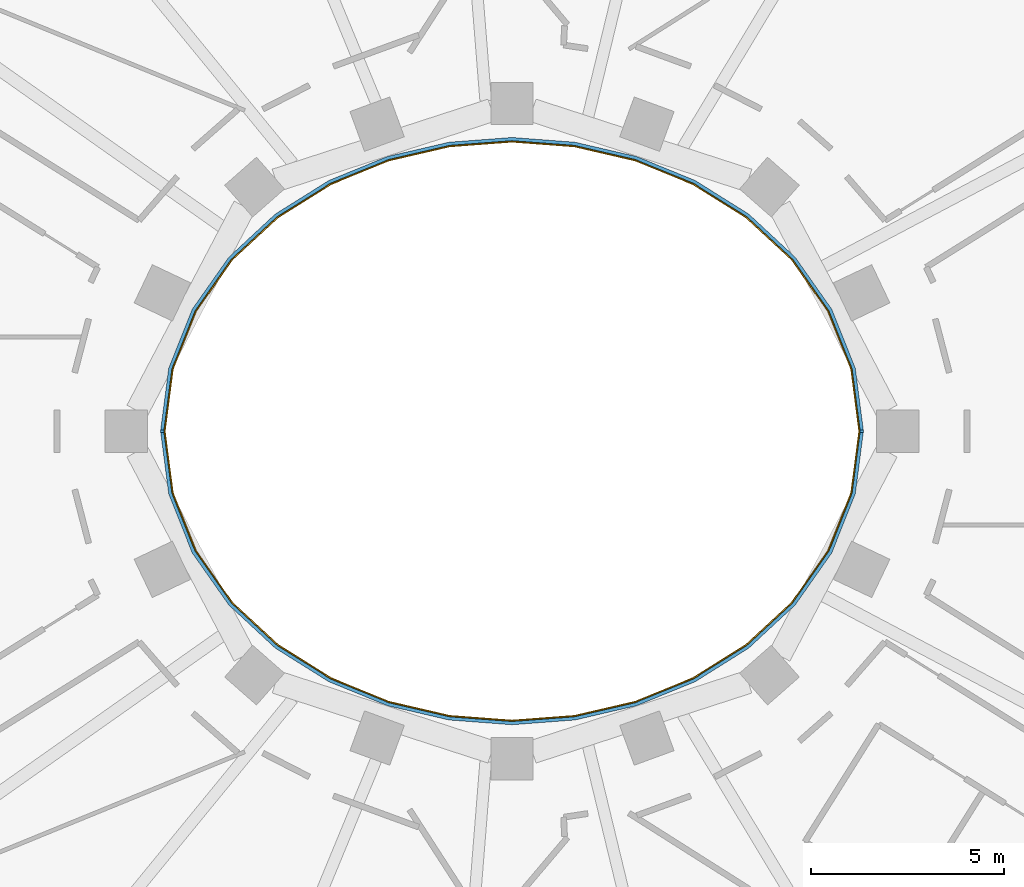
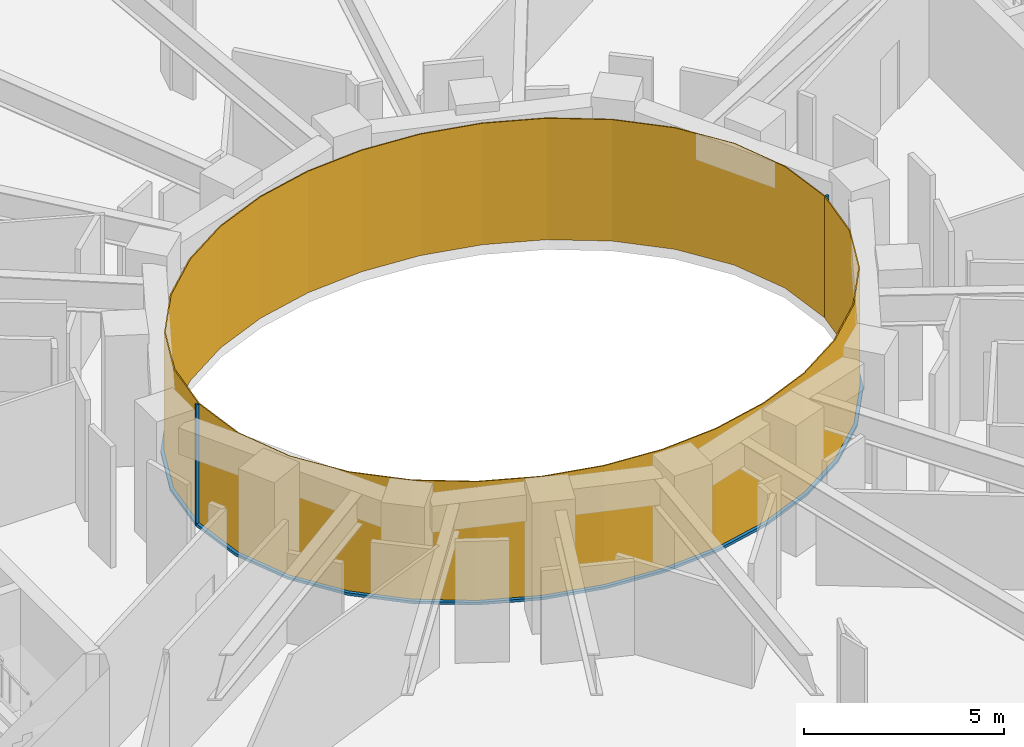
# One storey, part 10 of 15: 4 members, 2 curtain walls.
"""IFC4 building model written with IfcOpenShell, lengths in metres."""

from ifc_helpers import new_model, si_unit, direction, frame, origin, origin_2d, place, context, subcontext, project, spatial, polyline, rectangle, outline, extrude, material, layer, layer_set, material_profile, profile_set, type_object, element, aggregate, save


model = new_model("IFC4")

# Units and contexts
model_context = context("Model", 3, precision=1e-05, world=origin(), true_north=direction((0.0, 1.0)))
body_context = subcontext(model_context, "Body", "Model", "MODEL_VIEW")
ifc_project = project(units=[si_unit("LENGTHUNIT", "METRE"), si_unit("AREAUNIT", "SQUARE_METRE"), si_unit("VOLUMEUNIT", "CUBIC_METRE"), si_unit("PLANEANGLEUNIT", "RADIAN"), si_unit("MASSUNIT", "GRAM", prefix="KILO")], contexts=[model_context])

# Member
ifc_material_1 = material(Name="Steel S355 fire-resisting frame", Category="steel")
ifc_material_profile = material_profile(ifc_material_1, rectangle(XDim=0.090087890625, YDim=0.06005859375, at=origin_2d()), Name="90x60")
ifc_profile_set = profile_set([ifc_material_profile], Name="Steel S355 fire-resisting frame")
member_type_1 = type_object("IfcMemberType", Name="ENV-MULLION-W-90", PredefinedType="MULLION", material=ifc_profile_set)
site_placement = place(None, origin())
building_placement = place(site_placement, origin())
storey_placement = place(building_placement, frame((0.0, 0.0, 158.0)))
member_1_placement = place(storey_placement, frame((9.076904296875, 0.0, 0.0), z_axis=(0.0, 0.0, 1.0), x_axis=(1.0, 0.0, 0.0)))
member_1 = element("IfcMember", 1, at=member_1_placement, type_object=member_type_1, Name="Mullion W well vertex 01", PredefinedType="MULLION", context=body_context, shape_type="SweptSolid", body=[
    extrude(rectangle(XDim=0.090087890625, YDim=0.06005859375, at=origin_2d()), origin(), (0.0, 0.0, 1.0), 3.699951171875),
])

member_2_placement = place(storey_placement, frame((-9.076904296875, 0.0, 0.0), z_axis=(0.0, 0.0, 1.0), x_axis=(-1.0, 0.0, 0.0)))
member_2 = element("IfcMember", 2, at=member_2_placement, type_object=member_type_1, Name="Mullion W well vertex 17", PredefinedType="MULLION", context=body_context, shape_type="SweptSolid", body=[
    extrude(rectangle(XDim=0.090087890625, YDim=0.06005859375, at=origin_2d()), origin(), (0.0, 0.0, 1.0), 3.699951171875),
])

ifc_material_2 = material(Name="Steel S355 fire-resisting frame", Category="steel")
member_type_2 = type_object("IfcMemberType", Name="ENV-TRANSOM-W", PredefinedType="USERDEFINED", material=ifc_material_2)
member_3_placement = place(storey_placement, origin())
member_3 = element("IfcMember", 3, at=member_3_placement, type_object=member_type_2, Name="Transom W well 01-17", ObjectType="TRANSOM", PredefinedType="USERDEFINED", context=body_context, shape_type="SweptSolid", body=[
    extrude(outline(polyline([(9.119384765625, 0.02783203125), (8.910400390625, 1.63623046875), (8.29833984375, 3.167236328125), (7.35107421875, 4.5146484375), (6.1455078125, 5.6337890625), (4.75341796875, 6.50634765625), (3.233642578125, 7.127685546875), (1.635498046875, 7.498779296875), (0.0, 7.622314453125), (-1.635498046875, 7.498779296875), (-3.233642578125, 7.127685546875), (-4.75341796875, 6.50634765625), (-6.1455078125, 5.6337890625), (-7.35107421875, 4.5146484375), (-8.29833984375, 3.167236328125), (-8.910400390625, 1.63623046875), (-9.119384765625, 0.02783203125), (-9.02880859375, 0.02783203125), (-8.822509765625, 1.61328125), (-8.21875, 3.124267578125), (-7.282958984375, 4.455078125), (-6.090576171875, 5.56201171875), (-4.712158203125, 6.426025390625), (-3.206298828125, 7.04150390625), (-1.621826171875, 7.40966796875), (0.0, 7.531982421875), (1.621826171875, 7.40966796875), (3.206298828125, 7.04150390625), (4.712158203125, 6.426025390625), (6.090576171875, 5.56201171875), (7.282958984375, 4.455078125), (8.21875, 3.124267578125), (8.822509765625, 1.61328125), (9.02880859375, 0.02783203125), (9.119384765625, 0.02783203125)])), origin(), (0.0, 0.0, 1.0), 0.080078125),
])

member_4_placement = place(storey_placement, origin())
member_4 = element("IfcMember", 4, at=member_4_placement, type_object=member_type_2, Name="Transom W well 17-01", ObjectType="TRANSOM", PredefinedType="USERDEFINED", context=body_context, shape_type="SweptSolid", body=[
    extrude(outline(polyline([(-9.119384765625, -0.02783203125), (-8.910400390625, -1.63623046875), (-8.29833984375, -3.167236328125), (-7.35107421875, -4.5146484375), (-6.1455078125, -5.6337890625), (-4.75341796875, -6.50634765625), (-3.233642578125, -7.127685546875), (-1.635498046875, -7.498779296875), (0.0, -7.622314453125), (1.635498046875, -7.498779296875), (3.233642578125, -7.127685546875), (4.75341796875, -6.50634765625), (6.1455078125, -5.6337890625), (7.35107421875, -4.5146484375), (8.29833984375, -3.167236328125), (8.910400390625, -1.63623046875), (9.119384765625, -0.02783203125), (9.02880859375, -0.02783203125), (8.822509765625, -1.61328125), (8.21875, -3.124267578125), (7.282958984375, -4.455078125), (6.090576171875, -5.56201171875), (4.712158203125, -6.426025390625), (3.206298828125, -7.04150390625), (1.621826171875, -7.40966796875), (0.0, -7.531982421875), (-1.621826171875, -7.40966796875), (-3.206298828125, -7.04150390625), (-4.712158203125, -6.426025390625), (-6.090576171875, -5.56201171875), (-7.282958984375, -4.455078125), (-8.21875, -3.124267578125), (-8.822509765625, -1.61328125), (-9.02880859375, -0.02783203125), (-9.119384765625, -0.02783203125)])), origin(), (0.0, 0.0, 1.0), 0.080078125),
])

# Site, building, storey
site = spatial("IfcSite", under=ifc_project, at=site_placement, CompositionType="ELEMENT")
building = spatial("IfcBuilding", under=site, at=building_placement, Name="Noorbagh Ring Tower", CompositionType="ELEMENT")
storey = spatial("IfcBuildingStorey", under=building, at=storey_placement, Name="L36", CompositionType="ELEMENT", Elevation=158.0)

# Curtain wall
ifc_material_3 = material(Name="Glass fire-resisting E60 laminated", Category="glass")
ifc_layer = layer(ifc_material_3, 0.031982421875)
ifc_layer_set = layer_set([ifc_layer], Name="Glass fire-resisting E60 laminated")
curtain_wall_type = type_object("IfcCurtainWallType", Name="ENV-CW-W", PredefinedType="NOTDEFINED", material=ifc_layer_set)
curtain_wall_1_placement = place(storey_placement, origin())
curtain_wall_1 = element("IfcCurtainWall", 5, at=curtain_wall_1_placement, inside=storey, type_object=curtain_wall_type, Name="Curtain wall W W01", PredefinedType="NOTDEFINED", context=body_context, shape_type="SweptSolid", body=[
    extrude(outline(polyline([(9.0322265625, 0.0), (8.822509765625, 1.61328125), (8.21875, 3.124267578125), (7.282958984375, 4.455078125), (6.090576171875, 5.56201171875), (4.712158203125, 6.426025390625), (3.206298828125, 7.04150390625), (1.621826171875, 7.40966796875), (0.0, 7.531982421875), (-1.621826171875, 7.40966796875), (-3.206298828125, 7.04150390625), (-4.712158203125, 6.426025390625), (-6.090576171875, 5.56201171875), (-7.282958984375, 4.455078125), (-8.21875, 3.124267578125), (-8.822509765625, 1.61328125), (-9.0322265625, 0.0), (-9.0, 0.0), (-8.79150390625, 1.605224609375), (-8.1904296875, 3.10888671875), (-7.2587890625, 4.43408203125), (-6.071044921875, 5.53662109375), (-4.697509765625, 6.3974609375), (-3.196533203125, 7.010986328125), (-1.6171875, 7.3779296875), (0.0, 7.5), (1.6171875, 7.3779296875), (3.196533203125, 7.010986328125), (4.697509765625, 6.3974609375), (6.071044921875, 5.53662109375), (7.2587890625, 4.43408203125), (8.1904296875, 3.10888671875), (8.79150390625, 1.605224609375), (9.0, 0.0), (9.0322265625, 0.0)])), origin(), (0.0, 0.0, 1.0), 3.699951171875),
])

aggregate(curtain_wall_1, [member_1, member_2, member_3])

curtain_wall_2_placement = place(storey_placement, origin())
curtain_wall_2 = element("IfcCurtainWall", 6, at=curtain_wall_2_placement, inside=storey, type_object=curtain_wall_type, Name="Curtain wall W W17", PredefinedType="NOTDEFINED", context=body_context, shape_type="SweptSolid", body=[
    extrude(outline(polyline([(-9.0322265625, 0.0), (-8.822509765625, -1.61328125), (-8.21875, -3.124267578125), (-7.282958984375, -4.455078125), (-6.090576171875, -5.56201171875), (-4.712158203125, -6.426025390625), (-3.206298828125, -7.04150390625), (-1.621826171875, -7.40966796875), (0.0, -7.531982421875), (1.621826171875, -7.40966796875), (3.206298828125, -7.04150390625), (4.712158203125, -6.426025390625), (6.090576171875, -5.56201171875), (7.282958984375, -4.455078125), (8.21875, -3.124267578125), (8.822509765625, -1.61328125), (9.0322265625, 0.0), (9.0, 0.0), (8.79150390625, -1.605224609375), (8.1904296875, -3.10888671875), (7.2587890625, -4.43408203125), (6.071044921875, -5.53662109375), (4.697509765625, -6.3974609375), (3.196533203125, -7.010986328125), (1.6171875, -7.3779296875), (0.0, -7.5), (-1.6171875, -7.3779296875), (-3.196533203125, -7.010986328125), (-4.697509765625, -6.3974609375), (-6.071044921875, -5.53662109375), (-7.2587890625, -4.43408203125), (-8.1904296875, -3.10888671875), (-8.79150390625, -1.605224609375), (-9.0, 0.0), (-9.0322265625, 0.0)])), origin(), (0.0, 0.0, 1.0), 3.699951171875),
])

aggregate(curtain_wall_2, [member_4])

save(model, "model.ifc")
